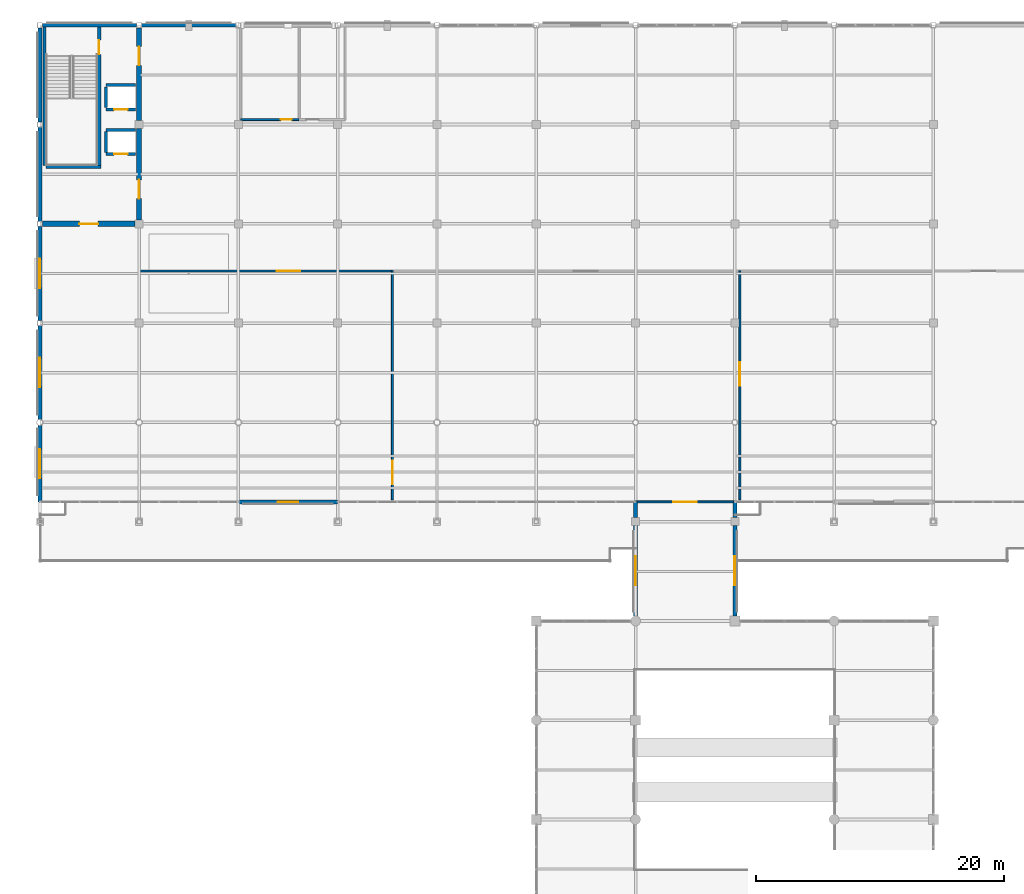
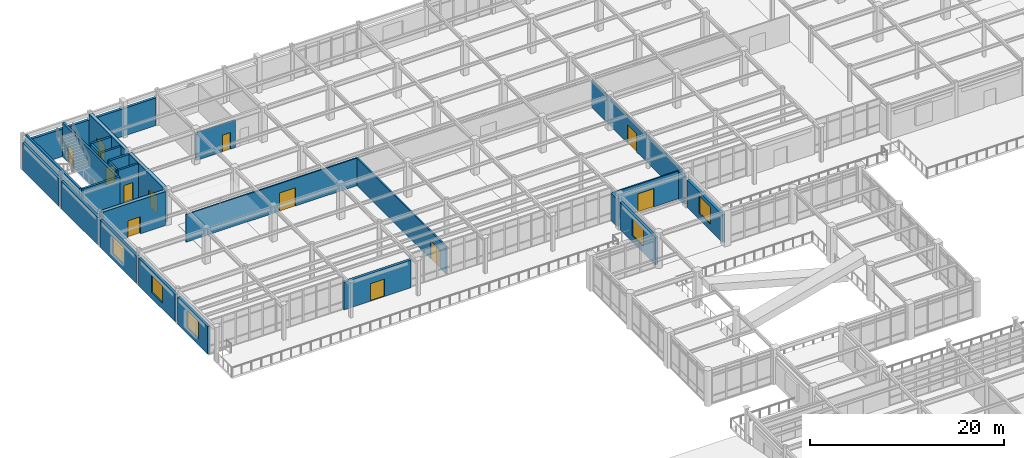
# One storey, part 86 of 111: 29 walls, 12 doors, 5 windows, 17 openings.
"""IFC4 building model written with IfcOpenShell, lengths in metres."""

from ifc_helpers import new_model, si_unit, direction, frame, frame_2d, origin, place, context, subcontext, project, spatial, rectangle, extrude, material, layer, layer_set, type_object, element, fill, save


model = new_model("IFC4")

# Units and contexts
model_context = context("Model", 3, precision=1e-05, world=origin(), true_north=direction((0.0, 1.0)))
body_context = subcontext(model_context, "Body", "Model", "MODEL_VIEW")
ifc_project = project(units=[si_unit("LENGTHUNIT", "METRE"), si_unit("AREAUNIT", "SQUARE_METRE"), si_unit("VOLUMEUNIT", "CUBIC_METRE"), si_unit("PLANEANGLEUNIT", "RADIAN"), si_unit("MASSUNIT", "GRAM", prefix="KILO")], contexts=[model_context])

# Site, building, storey
site_placement = place(None, origin())
site = spatial("IfcSite", under=ifc_project, at=site_placement, CompositionType="ELEMENT")
building_placement = place(site_placement, origin())
building = spatial("IfcBuilding", under=site, at=building_placement, Name="Solmirada Galleria", CompositionType="ELEMENT")
storey_placement = place(building_placement, frame((0.0, 0.0, 10.39990234375)))
storey = spatial("IfcBuildingStorey", under=building, at=storey_placement, Name="L02", CompositionType="ELEMENT", Elevation=10.39990234375)

# Wall, opening, door
ifc_material_1 = material(Name="Concrete C40/50", Category="concrete")
ifc_layer_1 = layer(ifc_material_1, 0.419921875)
ifc_layer_set_1 = layer_set([ifc_layer_1], Name="Concrete C40/50")
wall_type_1 = type_object("IfcWallType", Name="WL-CORE-420", PredefinedType="SHEAR", material=ifc_layer_set_1)
wall_1_placement = place(storey_placement, frame((40.202880859375, 104.0, 0.0), z_axis=(0.0, 0.0, 1.0), x_axis=(1.0, 0.0, 0.0)))
wall_1 = element("IfcWall", 1, at=wall_1_placement, inside=storey, type_object=wall_type_1, Name="Core C1 shear wall L02 S1", PredefinedType="SHEAR", context=body_context, shape_type="SweptSolid", body=[
    extrude(rectangle(XDim=7.47216796875, YDim=0.419921875, at=frame_2d((3.736083984375, 0.0))), origin(), (0.0, 0.0, 1.0), 4.280029296875),
])
opening_1_placement = place(wall_1_placement, frame((2.986083984375, 0.0, 0.0)))
opening_1 = element("IfcOpeningElement", 2, at=opening_1_placement, cuts=wall_1, Name="Opening LDY-114", PredefinedType="OPENING", context=body_context, shape_type="SweptSolid", body=[
    extrude(rectangle(XDim=1.5, YDim=2.14990234375, at=frame_2d((0.75, 1.074951171875))), frame((0.0, 0.219970703125, 0.0), z_axis=(0.0, -1.0, 0.0), x_axis=(1.0, 0.0, 0.0)), (0.0, 0.0, 1.0), 0.43994140625),
])
ifc_material_2 = material(Name="Fire-rated painted steel door assembly", Category="steel")
door_type_1 = type_object("IfcDoorType", Name="DR-LOBBY-150X215", OperationType="DOUBLE_DOOR_SINGLE_SWING", PredefinedType="DOOR", material=ifc_material_2)
door_1_placement = place(opening_1_placement, origin())
door_1 = element("IfcDoor", 3, at=door_1_placement, inside=storey, type_object=door_type_1, Name="Core C1 lobby access fire door LDY-114", OperationType="DOUBLE_DOOR_SINGLE_SWING", OverallHeight=2.14990234375, OverallWidth=1.5, PredefinedType="DOOR", context=body_context, shape_type="SweptSolid", body=[
    extrude(rectangle(XDim=1.5, YDim=2.14990234375, at=frame_2d((0.75, 1.074951171875))), frame((0.0, 0.02490234375, 0.0), z_axis=(0.0, -1.0, 0.0), x_axis=(1.0, 0.0, 0.0)), (0.0, 0.0, 1.0), 0.050048828125),
])
fill(opening_1, door_1)

wall_2_placement = place(storey_placement, frame((48.0, 104.324951171875, 0.0), z_axis=(0.0, 0.0, 1.0), x_axis=(0.0, 1.0, 0.0)))
wall_2 = element("IfcWall", 4, at=wall_2_placement, inside=storey, type_object=wall_type_1, Name="Core C1 shear wall L02 E1", PredefinedType="SHEAR", context=body_context, shape_type="SweptSolid", body=[
    extrude(rectangle(XDim=7.35009765625, YDim=0.419921875, at=frame_2d((3.675048828125, 0.0))), origin(), (0.0, 0.0, 1.0), 4.280029296875),
])
opening_2_placement = place(wall_2_placement, frame((1.7119140625, 0.0, 0.0)))
opening_2 = element("IfcOpeningElement", 5, at=opening_2_placement, cuts=wall_2, Name="Opening LDY-115", PredefinedType="OPENING", context=body_context, shape_type="SweptSolid", body=[
    extrude(rectangle(XDim=1.5, YDim=2.14990234375, at=frame_2d((0.75, 1.074951171875))), frame((0.0, 0.219970703125, 0.0), z_axis=(0.0, -1.0, 0.0), x_axis=(1.0, 0.0, 0.0)), (0.0, 0.0, 1.0), 0.43994140625),
])
door_2_placement = place(opening_2_placement, origin())
door_2 = element("IfcDoor", 6, at=door_2_placement, inside=storey, type_object=door_type_1, Name="Core C1 lobby access fire door LDY-115", OperationType="DOUBLE_DOOR_SINGLE_SWING", OverallHeight=2.14990234375, OverallWidth=1.5, PredefinedType="DOOR", context=body_context, shape_type="SweptSolid", body=[
    extrude(rectangle(XDim=1.5, YDim=2.14990234375, at=frame_2d((0.75, 1.074951171875))), frame((0.0, 0.02490234375, 0.0), z_axis=(0.0, -1.0, 0.0), x_axis=(1.0, 0.0, 0.0)), (0.0, 0.0, 1.0), 0.050048828125),
])
fill(opening_2, door_2)

wall_3_placement = place(storey_placement, frame((48.0, 112.324951171875, 0.0), z_axis=(0.0, 0.0, 1.0), x_axis=(0.0, 1.0, 0.0)))
wall_3 = element("IfcWall", 7, at=wall_3_placement, inside=storey, type_object=wall_type_1, Name="Core C1 shear wall L02 E2", PredefinedType="SHEAR", context=body_context, shape_type="SweptSolid", body=[
    extrude(rectangle(XDim=7.47216796875, YDim=0.419921875, at=frame_2d((3.736083984375, 0.0))), origin(), (0.0, 0.0, 1.0), 4.280029296875),
])
opening_3_placement = place(wall_3_placement, frame((4.447998046875, 0.0, 0.0)))
opening_3 = element("IfcOpeningElement", 8, at=opening_3_placement, cuts=wall_3, Name="Opening LDY-116", PredefinedType="OPENING", context=body_context, shape_type="SweptSolid", body=[
    extrude(rectangle(XDim=1.5, YDim=2.14990234375, at=frame_2d((0.75, 1.074951171875))), frame((0.0, 0.219970703125, 0.0), z_axis=(0.0, -1.0, 0.0), x_axis=(1.0, 0.0, 0.0)), (0.0, 0.0, 1.0), 0.43994140625),
])
door_3_placement = place(opening_3_placement, origin())
door_3 = element("IfcDoor", 9, at=door_3_placement, inside=storey, type_object=door_type_1, Name="Core C1 lobby access fire door LDY-116", OperationType="DOUBLE_DOOR_SINGLE_SWING", OverallHeight=2.14990234375, OverallWidth=1.5, PredefinedType="DOOR", context=body_context, shape_type="SweptSolid", body=[
    extrude(rectangle(XDim=1.5, YDim=2.14990234375, at=frame_2d((0.75, 1.074951171875))), frame((0.0, 0.02490234375, 0.0), z_axis=(0.0, -1.0, 0.0), x_axis=(1.0, 0.0, 0.0)), (0.0, 0.0, 1.0), 0.050048828125),
])
fill(opening_3, door_3)

# Wall, opening, window
ifc_material_3 = material(Name="Precast concrete C40/50", Category="concrete")
ifc_layer_2 = layer(ifc_material_3, 0.31005859375)
ifc_layer_set_2 = layer_set([ifc_layer_2], Name="Precast concrete C40/50")
wall_type_2 = type_object("IfcWallType", Name="WL-EXT-310", PredefinedType="STANDARD", material=ifc_layer_set_2)
wall_4_placement = place(storey_placement, frame((88.0, 72.39990234375, 0.0), z_axis=(0.0, 0.0, 1.0), x_axis=(0.0, 1.0, 0.0)))
wall_4 = element("IfcWall", 10, at=wall_4_placement, inside=storey, type_object=wall_type_2, Name="Exterior wall L02 bay 026", PredefinedType="STANDARD", context=body_context, shape_type="SweptSolid", body=[
    extrude(rectangle(XDim=7.275146484375, YDim=0.31005859375, at=frame_2d((3.6376953125, 0.0))), origin(), (0.0, 0.0, 1.0), 3.47998046875),
])
opening_4_placement = place(wall_4_placement, frame((2.4619140625, 0.0, 0.800048828125)))
opening_4 = element("IfcOpeningElement", 11, at=opening_4_placement, cuts=wall_4, Name="Opening WN2", PredefinedType="OPENING", context=body_context, shape_type="SweptSolid", body=[
    extrude(rectangle(XDim=2.35009765625, YDim=2.14990234375, at=frame_2d((1.175048828125, 1.074951171875))), frame((0.0, 0.1650390625, 0.0), z_axis=(0.0, -1.0, 0.0), x_axis=(1.0, 0.0, 0.0)), (0.0, 0.0, 1.0), 0.330078125),
])
ifc_material_4 = material(Name="Impact-resistant low-E double glazing", Category="glass")
window_type = type_object("IfcWindowType", Name="WIN-AVE-235X215", PartitioningType="DOUBLE_PANEL_VERTICAL", PredefinedType="WINDOW", material=ifc_material_4)
window_1_placement = place(opening_4_placement, origin())
window_1 = element("IfcWindow", 12, at=window_1_placement, inside=storey, type_object=window_type, Name="Window L02-047", OverallHeight=2.14990234375, OverallWidth=2.35009765625, PartitioningType="DOUBLE_PANEL_VERTICAL", PredefinedType="WINDOW", context=body_context, shape_type="SweptSolid", body=[
    extrude(rectangle(XDim=2.35009765625, YDim=2.14990234375, at=frame_2d((1.175048828125, 1.074951171875))), frame((0.0, 0.030029296875, 0.0), z_axis=(0.0, -1.0, 0.0), x_axis=(1.0, 0.0, 0.0)), (0.0, 0.0, 1.0), 0.06005859375),
])
fill(opening_4, window_1)

# Wall
wall_5_placement = place(storey_placement, frame((88.0, 80.324951171875, 0.0), z_axis=(0.0, 0.0, 1.0), x_axis=(0.0, 1.0, 0.0)))
element("IfcWall", 13, at=wall_5_placement, inside=storey, type_object=wall_type_2, Name="Exterior wall L02 bay 027", PredefinedType="STANDARD", context=body_context, shape_type="SweptSolid", body=[
    extrude(rectangle(XDim=1.275146484375, YDim=0.31005859375, at=frame_2d((0.6376953125, 0.0))), origin(), (0.0, 0.0, 1.0), 3.47998046875),
])

# Wall, opening, door
wall_6_placement = place(storey_placement, frame((64.0, 81.60009765625, 0.0), z_axis=(0.0, 0.0, 1.0), x_axis=(-1.0, 0.0, 0.0)))
wall_6 = element("IfcWall", 14, at=wall_6_placement, inside=storey, type_object=wall_type_2, Name="Exterior wall L02 bay 031", PredefinedType="STANDARD", context=body_context, shape_type="SweptSolid", body=[
    extrude(rectangle(XDim=8.0, YDim=0.31005859375, at=frame_2d((4.0, 0.0))), origin(), (0.0, 0.0, 1.0), 3.47998046875),
])
opening_5_placement = place(wall_6_placement, frame((3.175048828125, 0.0, 0.0)))
opening_5 = element("IfcOpeningElement", 15, at=opening_5_placement, cuts=wall_6, Name="Opening TD-061", PredefinedType="OPENING", context=body_context, shape_type="SweptSolid", body=[
    extrude(rectangle(XDim=1.64990234375, YDim=2.199951171875, at=frame_2d((0.824951171875, 1.10009765625))), frame((0.0, 0.1650390625, 0.0), z_axis=(0.0, -1.0, 0.0), x_axis=(1.0, 0.0, 0.0)), (0.0, 0.0, 1.0), 0.330078125),
])
ifc_material_5 = material(Name="Thermally broken aluminium and laminated glass door", Category="aluminium")
door_type_2 = type_object("IfcDoorType", Name="DR-TERR-165X220", OperationType="DOUBLE_DOOR_SINGLE_SWING", PredefinedType="DOOR", material=ifc_material_5)
door_4_placement = place(opening_5_placement, origin())
door_4 = element("IfcDoor", 16, at=door_4_placement, inside=storey, type_object=door_type_2, Name="Planted terrace access door TD-061", OperationType="DOUBLE_DOOR_SINGLE_SWING", OverallHeight=2.199951171875, OverallWidth=1.64990234375, PredefinedType="DOOR", context=body_context, shape_type="SweptSolid", body=[
    extrude(rectangle(XDim=1.64990234375, YDim=2.199951171875, at=frame_2d((0.824951171875, 1.10009765625))), frame((0.0, 0.02490234375, 0.0), z_axis=(0.0, -1.0, 0.0), x_axis=(1.0, 0.0, 0.0)), (0.0, 0.0, 1.0), 0.050048828125),
])
fill(opening_5, door_4)

# Wall, opening, window
wall_7_placement = place(storey_placement, frame((40.0, 81.60009765625, 0.0), z_axis=(0.0, 0.0, 1.0), x_axis=(0.0, 1.0, 0.0)))
wall_7 = element("IfcWall", 17, at=wall_7_placement, inside=storey, type_object=wall_type_2, Name="Exterior wall L02 bay 034", PredefinedType="STANDARD", context=body_context, shape_type="SweptSolid", body=[
    extrude(rectangle(XDim=6.14599609375, YDim=0.31005859375, at=frame_2d((3.072998046875, 0.0))), origin(), (0.0, 0.0, 1.0), 3.47998046875),
])
opening_6_placement = place(wall_7_placement, frame((1.89794921875, 0.0, 0.800048828125)))
opening_6 = element("IfcOpeningElement", 18, at=opening_6_placement, cuts=wall_7, Name="Opening WN2", PredefinedType="OPENING", context=body_context, shape_type="SweptSolid", body=[
    extrude(rectangle(XDim=2.35009765625, YDim=2.14990234375, at=frame_2d((1.175048828125, 1.074951171875))), frame((0.0, 0.1650390625, 0.0), z_axis=(0.0, -1.0, 0.0), x_axis=(1.0, 0.0, 0.0)), (0.0, 0.0, 1.0), 0.330078125),
])
window_2_placement = place(opening_6_placement, origin())
window_2 = element("IfcWindow", 19, at=window_2_placement, inside=storey, type_object=window_type, Name="Window L02-048", OverallHeight=2.14990234375, OverallWidth=2.35009765625, PartitioningType="DOUBLE_PANEL_VERTICAL", PredefinedType="WINDOW", context=body_context, shape_type="SweptSolid", body=[
    extrude(rectangle(XDim=2.35009765625, YDim=2.14990234375, at=frame_2d((1.175048828125, 1.074951171875))), frame((0.0, 0.030029296875, 0.0), z_axis=(0.0, -1.0, 0.0), x_axis=(1.0, 0.0, 0.0)), (0.0, 0.0, 1.0), 0.06005859375),
])
fill(opening_6, window_2)

wall_8_placement = place(storey_placement, frame((40.0, 88.25390625, 0.0), z_axis=(0.0, 0.0, 1.0), x_axis=(0.0, 1.0, 0.0)))
wall_8 = element("IfcWall", 20, at=wall_8_placement, inside=storey, type_object=wall_type_2, Name="Exterior wall L02 bay 035", PredefinedType="STANDARD", context=body_context, shape_type="SweptSolid", body=[
    extrude(rectangle(XDim=7.543212890625, YDim=0.31005859375, at=frame_2d((3.771484375, 0.0))), origin(), (0.0, 0.0, 1.0), 3.47998046875),
])
opening_7_placement = place(wall_8_placement, frame((2.595947265625, 0.0, 0.800048828125)))
opening_7 = element("IfcOpeningElement", 21, at=opening_7_placement, cuts=wall_8, Name="Opening WN2", PredefinedType="OPENING", context=body_context, shape_type="SweptSolid", body=[
    extrude(rectangle(XDim=2.35009765625, YDim=2.14990234375, at=frame_2d((1.175048828125, 1.074951171875))), frame((0.0, 0.1650390625, 0.0), z_axis=(0.0, -1.0, 0.0), x_axis=(1.0, 0.0, 0.0)), (0.0, 0.0, 1.0), 0.330078125),
])
window_3_placement = place(opening_7_placement, origin())
window_3 = element("IfcWindow", 22, at=window_3_placement, inside=storey, type_object=window_type, Name="Window L02-049", OverallHeight=2.14990234375, OverallWidth=2.35009765625, PartitioningType="DOUBLE_PANEL_VERTICAL", PredefinedType="WINDOW", context=body_context, shape_type="SweptSolid", body=[
    extrude(rectangle(XDim=2.35009765625, YDim=2.14990234375, at=frame_2d((1.175048828125, 1.074951171875))), frame((0.0, 0.030029296875, 0.0), z_axis=(0.0, -1.0, 0.0), x_axis=(1.0, 0.0, 0.0)), (0.0, 0.0, 1.0), 0.06005859375),
])
fill(opening_7, window_3)

wall_9_placement = place(storey_placement, frame((40.0, 96.202880859375, 0.0), z_axis=(0.0, 0.0, 1.0), x_axis=(0.0, 1.0, 0.0)))
wall_9 = element("IfcWall", 23, at=wall_9_placement, inside=storey, type_object=wall_type_2, Name="Exterior wall L02 bay 036", PredefinedType="STANDARD", context=body_context, shape_type="SweptSolid", body=[
    extrude(rectangle(XDim=7.59423828125, YDim=0.31005859375, at=frame_2d((3.797119140625, 0.0))), origin(), (0.0, 0.0, 1.0), 3.47998046875),
])
opening_8_placement = place(wall_9_placement, frame((2.6220703125, 0.0, 0.800048828125)))
opening_8 = element("IfcOpeningElement", 24, at=opening_8_placement, cuts=wall_9, Name="Opening WN2", PredefinedType="OPENING", context=body_context, shape_type="SweptSolid", body=[
    extrude(rectangle(XDim=2.35009765625, YDim=2.14990234375, at=frame_2d((1.175048828125, 1.074951171875))), frame((0.0, 0.1650390625, 0.0), z_axis=(0.0, -1.0, 0.0), x_axis=(1.0, 0.0, 0.0)), (0.0, 0.0, 1.0), 0.330078125),
])
window_4_placement = place(opening_8_placement, origin())
window_4 = element("IfcWindow", 25, at=window_4_placement, inside=storey, type_object=window_type, Name="Window L02-050", OverallHeight=2.14990234375, OverallWidth=2.35009765625, PartitioningType="DOUBLE_PANEL_VERTICAL", PredefinedType="WINDOW", context=body_context, shape_type="SweptSolid", body=[
    extrude(rectangle(XDim=2.35009765625, YDim=2.14990234375, at=frame_2d((1.175048828125, 1.074951171875))), frame((0.0, 0.030029296875, 0.0), z_axis=(0.0, -1.0, 0.0), x_axis=(1.0, 0.0, 0.0)), (0.0, 0.0, 1.0), 0.06005859375),
])
fill(opening_8, window_4)

# Walls
for number, where, z_axis, x_axis, name in (
    (26, (40.0, 104.202880859375, 0.0), (0.0, 0.0, 1.0), (0.0, 1.0, 0.0), "Exterior wall L02 bay 037"),
    (27, (40.0, 112.202880859375, 0.0), (0.0, 0.0, 1.0), (0.0, 1.0, 0.0), "Exterior wall L02 bay 038"),
    (28, (40.202880859375, 120.0, 0.0), (0.0, 0.0, 1.0), (1.0, 0.0, 0.0), "Exterior wall L02 bay 039"),
    (29, (48.202880859375, 120.0, 0.0), (0.0, 0.0, 1.0), (1.0, 0.0, 0.0), "Exterior wall L02 bay 040"),
):
    element("IfcWall", number, at=place(storey_placement, frame(where, z_axis=z_axis, x_axis=x_axis)), inside=storey, type_object=wall_type_2, Name=name, PredefinedType="STANDARD", context=body_context, shape_type="SweptSolid", body=[
        extrude(rectangle(XDim=7.59423828125, YDim=0.31005859375, at=frame_2d((3.797119140625, 0.0))), origin(), (0.0, 0.0, 1.0), 3.47998046875),
    ])
wall_10_placement = place(storey_placement, frame((96.0, 81.60009765625, 0.0), z_axis=(0.0, 0.0, 1.0), x_axis=(0.0, -1.0, 0.0)))
element("IfcWall", 30, at=wall_10_placement, inside=storey, type_object=wall_type_2, Name="Exterior wall L02 bay 072", PredefinedType="STANDARD", context=body_context, shape_type="SweptSolid", body=[
    extrude(rectangle(XDim=1.275146484375, YDim=0.31005859375, at=frame_2d((0.6376953125, 0.0))), origin(), (0.0, 0.0, 1.0), 3.47998046875),
])

# Wall, opening, window
wall_11_placement = place(storey_placement, frame((96.0, 79.675048828125, 0.0), z_axis=(0.0, 0.0, 1.0), x_axis=(0.0, -1.0, 0.0)))
wall_11 = element("IfcWall", 31, at=wall_11_placement, inside=storey, type_object=wall_type_2, Name="Exterior wall L02 bay 073", PredefinedType="STANDARD", context=body_context, shape_type="SweptSolid", body=[
    extrude(rectangle(XDim=7.275146484375, YDim=0.31005859375, at=frame_2d((3.6376953125, 0.0))), origin(), (0.0, 0.0, 1.0), 3.47998046875),
])
opening_9_placement = place(wall_11_placement, frame((2.4619140625, 0.0, 0.800048828125)))
opening_9 = element("IfcOpeningElement", 32, at=opening_9_placement, cuts=wall_11, Name="Opening WN2", PredefinedType="OPENING", context=body_context, shape_type="SweptSolid", body=[
    extrude(rectangle(XDim=2.35009765625, YDim=2.14990234375, at=frame_2d((1.175048828125, 1.074951171875))), frame((0.0, 0.1650390625, 0.0), z_axis=(0.0, -1.0, 0.0), x_axis=(1.0, 0.0, 0.0)), (0.0, 0.0, 1.0), 0.330078125),
])
window_5_placement = place(opening_9_placement, origin())
window_5 = element("IfcWindow", 33, at=window_5_placement, inside=storey, type_object=window_type, Name="Window L02-059", OverallHeight=2.14990234375, OverallWidth=2.35009765625, PartitioningType="DOUBLE_PANEL_VERTICAL", PredefinedType="WINDOW", context=body_context, shape_type="SweptSolid", body=[
    extrude(rectangle(XDim=2.35009765625, YDim=2.14990234375, at=frame_2d((1.175048828125, 1.074951171875))), frame((0.0, 0.030029296875, 0.0), z_axis=(0.0, -1.0, 0.0), x_axis=(1.0, 0.0, 0.0)), (0.0, 0.0, 1.0), 0.06005859375),
])
fill(opening_9, window_5)

# Wall, opening, door
ifc_layer_3 = layer(ifc_material_1, 0.239990234375)
ifc_layer_set_3 = layer_set([ifc_layer_3], Name="Concrete C40/50")
wall_type_3 = type_object("IfcWallType", Name="WL-HOIST-240", PredefinedType="PARTITIONING", material=ifc_layer_set_3)
wall_12_placement = place(storey_placement, frame((45.344970703125, 113.219970703125, 0.0), z_axis=(0.0, 0.0, 1.0), x_axis=(1.0, 0.0, 0.0)))
wall_12 = element("IfcWall", 34, at=wall_12_placement, inside=storey, type_object=wall_type_3, Name="Lift LP1 hoistway front wall L02", PredefinedType="PARTITIONING", context=body_context, shape_type="SweptSolid", body=[
    extrude(rectangle(XDim=2.375, YDim=0.239990234375, at=frame_2d((1.1875, 0.0))), origin(), (0.0, 0.0, 1.0), 4.280029296875),
])
opening_10_placement = place(wall_12_placement, frame((0.636962890625, 0.0, 0.0)))
opening_10 = element("IfcOpeningElement", 35, at=opening_10_placement, cuts=wall_12, Name="Opening LD-LP1-L02", PredefinedType="OPENING", context=body_context, shape_type="SweptSolid", body=[
    extrude(rectangle(XDim=1.10009765625, YDim=2.14990234375, at=frame_2d((0.550048828125, 1.074951171875))), frame((0.0, 0.1298828125, 0.0), z_axis=(0.0, -1.0, 0.0), x_axis=(1.0, 0.0, 0.0)), (0.0, 0.0, 1.0), 0.260009765625),
])
ifc_material_6 = material(Name="Brushed stainless-steel sliding landing door", Category="steel")
door_type_3 = type_object("IfcDoorType", Name="DR-LIFT-110X215", OperationType="SLIDING_TO_LEFT", PredefinedType="DOOR", material=ifc_material_6)
door_5_placement = place(opening_10_placement, origin())
door_5 = element("IfcDoor", 36, at=door_5_placement, inside=storey, type_object=door_type_3, Name="Lift LP1 sliding landing door L02", OperationType="SLIDING_TO_LEFT", OverallHeight=2.14990234375, OverallWidth=1.10009765625, PredefinedType="DOOR", context=body_context, shape_type="SweptSolid", body=[
    extrude(rectangle(XDim=1.10009765625, YDim=2.14990234375, at=frame_2d((0.550048828125, 1.074951171875))), frame((0.0, 0.02490234375, 0.0), z_axis=(0.0, -1.0, 0.0), x_axis=(1.0, 0.0, 0.0)), (0.0, 0.0, 1.0), 0.050048828125),
])
fill(opening_10, door_5)

# Walls
wall_13_placement = place(storey_placement, frame((45.344970703125, 115.179931640625, 0.0), z_axis=(0.0, 0.0, 1.0), x_axis=(1.0, 0.0, 0.0)))
element("IfcWall", 37, at=wall_13_placement, inside=storey, type_object=wall_type_3, Name="Lift LP1 hoistway rear wall L02", PredefinedType="PARTITIONING", context=body_context, shape_type="SweptSolid", body=[
    extrude(rectangle(XDim=2.375, YDim=0.239990234375, at=frame_2d((1.1875, 0.0))), origin(), (0.0, 0.0, 1.0), 4.280029296875),
])
wall_14_placement = place(storey_placement, frame((45.344970703125, 113.360107421875, 0.0), z_axis=(0.0, 0.0, 1.0), x_axis=(0.0, 1.0, 0.0)))
element("IfcWall", 38, at=wall_14_placement, inside=storey, type_object=wall_type_3, Name="Lift LP1 hoistway side wall L L02", PredefinedType="PARTITIONING", context=body_context, shape_type="SweptSolid", body=[
    extrude(rectangle(XDim=1.679931640625, YDim=0.239990234375, at=frame_2d((0.83984375, 0.0))), origin(), (0.0, 0.0, 1.0), 4.280029296875),
])

# Wall, opening, door
wall_15_placement = place(storey_placement, frame((45.344970703125, 109.6201171875, 0.0), z_axis=(0.0, 0.0, 1.0), x_axis=(1.0, 0.0, 0.0)))
wall_15 = element("IfcWall", 39, at=wall_15_placement, inside=storey, type_object=wall_type_3, Name="Lift LP2 hoistway front wall L02", PredefinedType="PARTITIONING", context=body_context, shape_type="SweptSolid", body=[
    extrude(rectangle(XDim=2.375, YDim=0.239990234375, at=frame_2d((1.1875, 0.0))), origin(), (0.0, 0.0, 1.0), 4.280029296875),
])
opening_11_placement = place(wall_15_placement, frame((0.636962890625, 0.0, 0.0)))
opening_11 = element("IfcOpeningElement", 40, at=opening_11_placement, cuts=wall_15, Name="Opening LD-LP2-L02", PredefinedType="OPENING", context=body_context, shape_type="SweptSolid", body=[
    extrude(rectangle(XDim=1.10009765625, YDim=2.14990234375, at=frame_2d((0.550048828125, 1.074951171875))), frame((0.0, 0.1298828125, 0.0), z_axis=(0.0, -1.0, 0.0), x_axis=(1.0, 0.0, 0.0)), (0.0, 0.0, 1.0), 0.260009765625),
])
door_6_placement = place(opening_11_placement, origin())
door_6 = element("IfcDoor", 41, at=door_6_placement, inside=storey, type_object=door_type_3, Name="Lift LP2 sliding landing door L02", OperationType="SLIDING_TO_LEFT", OverallHeight=2.14990234375, OverallWidth=1.10009765625, PredefinedType="DOOR", context=body_context, shape_type="SweptSolid", body=[
    extrude(rectangle(XDim=1.10009765625, YDim=2.14990234375, at=frame_2d((0.550048828125, 1.074951171875))), frame((0.0, 0.02490234375, 0.0), z_axis=(0.0, -1.0, 0.0), x_axis=(1.0, 0.0, 0.0)), (0.0, 0.0, 1.0), 0.050048828125),
])
fill(opening_11, door_6)

# Walls
wall_16_placement = place(storey_placement, frame((45.344970703125, 111.580078125, 0.0), z_axis=(0.0, 0.0, 1.0), x_axis=(1.0, 0.0, 0.0)))
element("IfcWall", 42, at=wall_16_placement, inside=storey, type_object=wall_type_3, Name="Lift LP2 hoistway rear wall L02", PredefinedType="PARTITIONING", context=body_context, shape_type="SweptSolid", body=[
    extrude(rectangle(XDim=2.375, YDim=0.239990234375, at=frame_2d((1.1875, 0.0))), origin(), (0.0, 0.0, 1.0), 4.280029296875),
])
wall_17_placement = place(storey_placement, frame((45.344970703125, 109.760009765625, 0.0), z_axis=(0.0, 0.0, 1.0), x_axis=(0.0, 1.0, 0.0)))
element("IfcWall", 43, at=wall_17_placement, inside=storey, type_object=wall_type_3, Name="Lift LP2 hoistway side wall L L02", PredefinedType="PARTITIONING", context=body_context, shape_type="SweptSolid", body=[
    extrude(rectangle(XDim=1.679931640625, YDim=0.239990234375, at=frame_2d((0.83984375, 0.0))), origin(), (0.0, 0.0, 1.0), 4.280029296875),
])

# Wall, opening, door
ifc_material_7 = material(Name="Acoustic gypsum board partition")
ifc_layer_4 = layer(ifc_material_7, 0.159912109375)
ifc_layer_set_4 = layer_set([ifc_layer_4], Name="Acoustic gypsum board partition")
wall_type_4 = type_object("IfcWallType", Name="WL-PART-160", PredefinedType="PARTITIONING", material=ifc_layer_set_4)
wall_18_placement = place(storey_placement, frame((56.199951171875, 112.39990234375, 0.0), z_axis=(0.0, 0.0, 1.0), x_axis=(1.0, 0.0, 0.0)))
wall_18 = element("IfcWall", 44, at=wall_18_placement, inside=storey, type_object=wall_type_4, Name="Partition L02-066 (North Restroom)", PredefinedType="PARTITIONING", context=body_context, shape_type="SweptSolid", body=[
    extrude(rectangle(XDim=4.699951171875, YDim=0.159912109375, at=frame_2d((2.35009765625, 0.0))), origin(), (0.0, 0.0, 1.0), 3.47998046875),
])
opening_12_placement = place(wall_18_placement, frame((3.193115234375, 0.0, 0.0)))
opening_12 = element("IfcOpeningElement", 45, at=opening_12_placement, cuts=wall_18, Name="Opening ID-305", PredefinedType="OPENING", context=body_context, shape_type="SweptSolid", body=[
    extrude(rectangle(XDim=0.919921875, YDim=2.10009765625, at=frame_2d((0.4599609375, 1.050048828125))), frame((0.0, 0.08984375, 0.0), z_axis=(0.0, -1.0, 0.0), x_axis=(1.0, 0.0, 0.0)), (0.0, 0.0, 1.0), 0.179931640625),
])
ifc_material_8 = material(Name="Architectural hardwood veneer door", Category="wood")
door_type_4 = type_object("IfcDoorType", Name="DR-WC-092X210", OperationType="NOTDEFINED", PredefinedType="DOOR", material=ifc_material_8)
door_7_placement = place(opening_12_placement, origin())
door_7 = element("IfcDoor", 46, at=door_7_placement, inside=storey, type_object=door_type_4, Name="North Restroom door ID-305", OperationType="SINGLE_SWING_RIGHT", OverallHeight=2.10009765625, OverallWidth=0.919921875, PredefinedType="DOOR", context=body_context, shape_type="SweptSolid", body=[
    extrude(rectangle(XDim=0.919921875, YDim=2.10009765625, at=frame_2d((0.4599609375, 1.050048828125))), frame((0.0, 0.02490234375, 0.0), z_axis=(0.0, -1.0, 0.0), x_axis=(1.0, 0.0, 0.0)), (0.0, 0.0, 1.0), 0.050048828125),
])
fill(opening_12, door_7)

wall_19_placement = place(storey_placement, frame((48.0, 100.199951171875, 0.0), z_axis=(0.0, 0.0, 1.0), x_axis=(1.0, 0.0, 0.0)))
wall_19 = element("IfcWall", 47, at=wall_19_placement, inside=storey, type_object=wall_type_4, Name="Partition L02-071 (North Promenade W L02)", PredefinedType="PARTITIONING", context=body_context, shape_type="SweptSolid", body=[
    extrude(rectangle(XDim=20.39990234375, YDim=0.159912109375, at=frame_2d((10.199951171875, 0.0))), origin(), (0.0, 0.0, 1.0), 3.47998046875),
])
opening_13_placement = place(wall_19_placement, frame((11.091064453125, 0.0, 0.0)))
opening_13 = element("IfcOpeningElement", 48, at=opening_13_placement, cuts=wall_19, Name="Opening ID-307", PredefinedType="OPENING", context=body_context, shape_type="SweptSolid", body=[
    extrude(rectangle(XDim=1.89990234375, YDim=2.300048828125, at=frame_2d((0.949951171875, 1.14990234375))), frame((0.0, 0.08984375, 0.0), z_axis=(0.0, -1.0, 0.0), x_axis=(1.0, 0.0, 0.0)), (0.0, 0.0, 1.0), 0.179931640625),
])
door_type_5 = type_object("IfcDoorType", Name="DR-DEPT-190X230", OperationType="DOUBLE_DOOR_SINGLE_SWING", PredefinedType="DOOR", material=ifc_material_8)
door_8_placement = place(opening_13_placement, origin())
door_8 = element("IfcDoor", 49, at=door_8_placement, inside=storey, type_object=door_type_5, Name="North Promenade W L02 door ID-307", OperationType="DOUBLE_DOOR_SINGLE_SWING", OverallHeight=2.300048828125, OverallWidth=1.89990234375, PredefinedType="DOOR", context=body_context, shape_type="SweptSolid", body=[
    extrude(rectangle(XDim=1.89990234375, YDim=2.300048828125, at=frame_2d((0.949951171875, 1.14990234375))), frame((0.0, 0.02490234375, 0.0), z_axis=(0.0, -1.0, 0.0), x_axis=(1.0, 0.0, 0.0)), (0.0, 0.0, 1.0), 0.050048828125),
])
fill(opening_13, door_8)

wall_20_placement = place(storey_placement, frame((68.39990234375, 81.75, 0.0), z_axis=(0.0, 0.0, 1.0), x_axis=(0.0, 1.0, 0.0)))
wall_20 = element("IfcWall", 50, at=wall_20_placement, inside=storey, type_object=wall_type_4, Name="Partition L02-074 (North Department W L02)", PredefinedType="PARTITIONING", context=body_context, shape_type="SweptSolid", body=[
    extrude(rectangle(XDim=18.449951171875, YDim=0.159912109375, at=frame_2d((9.22509765625, 0.0))), origin(), (0.0, 0.0, 1.0), 3.47998046875),
])
opening_14_placement = place(wall_20_placement, frame((1.263916015625, 0.0, 0.0)))
opening_14 = element("IfcOpeningElement", 51, at=opening_14_placement, cuts=wall_20, Name="Opening ID-310", PredefinedType="OPENING", context=body_context, shape_type="SweptSolid", body=[
    extrude(rectangle(XDim=1.89990234375, YDim=2.300048828125, at=frame_2d((0.949951171875, 1.14990234375))), frame((0.0, 0.08984375, 0.0), z_axis=(0.0, -1.0, 0.0), x_axis=(1.0, 0.0, 0.0)), (0.0, 0.0, 1.0), 0.179931640625),
])
door_9_placement = place(opening_14_placement, origin())
door_9 = element("IfcDoor", 52, at=door_9_placement, inside=storey, type_object=door_type_5, Name="North Department W L02 door ID-310", OperationType="DOUBLE_DOOR_SINGLE_SWING", OverallHeight=2.300048828125, OverallWidth=1.89990234375, PredefinedType="DOOR", context=body_context, shape_type="SweptSolid", body=[
    extrude(rectangle(XDim=1.89990234375, YDim=2.300048828125, at=frame_2d((0.949951171875, 1.14990234375))), frame((0.0, 0.02490234375, 0.0), z_axis=(0.0, -1.0, 0.0), x_axis=(1.0, 0.0, 0.0)), (0.0, 0.0, 1.0), 0.050048828125),
])
fill(opening_14, door_9)

wall_21_placement = place(storey_placement, frame((96.39990234375, 81.75, 0.0), z_axis=(0.0, 0.0, 1.0), x_axis=(0.0, 1.0, 0.0)))
wall_21 = element("IfcWall", 53, at=wall_21_placement, inside=storey, type_object=wall_type_4, Name="Partition L02-075 (North Department E L02)", PredefinedType="PARTITIONING", context=body_context, shape_type="SweptSolid", body=[
    extrude(rectangle(XDim=18.449951171875, YDim=0.159912109375, at=frame_2d((9.22509765625, 0.0))), origin(), (0.0, 0.0, 1.0), 3.47998046875),
])
opening_15_placement = place(wall_21_placement, frame((9.18896484375, 0.0, 0.0)))
opening_15 = element("IfcOpeningElement", 54, at=opening_15_placement, cuts=wall_21, Name="Opening ID-311", PredefinedType="OPENING", context=body_context, shape_type="SweptSolid", body=[
    extrude(rectangle(XDim=1.89990234375, YDim=2.300048828125, at=frame_2d((0.949951171875, 1.14990234375))), frame((0.0, 0.08984375, 0.0), z_axis=(0.0, -1.0, 0.0), x_axis=(1.0, 0.0, 0.0)), (0.0, 0.0, 1.0), 0.179931640625),
])
door_10_placement = place(opening_15_placement, origin())
door_10 = element("IfcDoor", 55, at=door_10_placement, inside=storey, type_object=door_type_5, Name="North Department E L02 door ID-311", OperationType="DOUBLE_DOOR_SINGLE_SWING", OverallHeight=2.300048828125, OverallWidth=1.89990234375, PredefinedType="DOOR", context=body_context, shape_type="SweptSolid", body=[
    extrude(rectangle(XDim=1.89990234375, YDim=2.300048828125, at=frame_2d((0.949951171875, 1.14990234375))), frame((0.0, 0.02490234375, 0.0), z_axis=(0.0, -1.0, 0.0), x_axis=(1.0, 0.0, 0.0)), (0.0, 0.0, 1.0), 0.050048828125),
])
fill(opening_15, door_10)

wall_22_placement = place(storey_placement, frame((88.0, 81.60009765625, 0.0), z_axis=(0.0, 0.0, 1.0), x_axis=(1.0, 0.0, 0.0)))
wall_22 = element("IfcWall", 56, at=wall_22_placement, inside=storey, type_object=wall_type_4, Name="Partition L02-076 (North Atrium Link L02)", PredefinedType="PARTITIONING", context=body_context, shape_type="SweptSolid", body=[
    extrude(rectangle(XDim=8.0, YDim=0.159912109375, at=frame_2d((4.0, 0.0))), origin(), (0.0, 0.0, 1.0), 3.47998046875),
])
opening_16_placement = place(wall_22_placement, frame((3.050048828125, 0.0, 0.0)))
opening_16 = element("IfcOpeningElement", 57, at=opening_16_placement, cuts=wall_22, Name="Opening ID-312", PredefinedType="OPENING", context=body_context, shape_type="SweptSolid", body=[
    extrude(rectangle(XDim=1.89990234375, YDim=2.300048828125, at=frame_2d((0.949951171875, 1.14990234375))), frame((0.0, 0.08984375, 0.0), z_axis=(0.0, -1.0, 0.0), x_axis=(1.0, 0.0, 0.0)), (0.0, 0.0, 1.0), 0.179931640625),
])
door_11_placement = place(opening_16_placement, origin())
door_11 = element("IfcDoor", 58, at=door_11_placement, inside=storey, type_object=door_type_5, Name="North Atrium Link L02 door ID-312", OperationType="DOUBLE_DOOR_SINGLE_SWING", OverallHeight=2.300048828125, OverallWidth=1.89990234375, PredefinedType="DOOR", context=body_context, shape_type="SweptSolid", body=[
    extrude(rectangle(XDim=1.89990234375, YDim=2.300048828125, at=frame_2d((0.949951171875, 1.14990234375))), frame((0.0, 0.02490234375, 0.0), z_axis=(0.0, -1.0, 0.0), x_axis=(1.0, 0.0, 0.0)), (0.0, 0.0, 1.0), 0.050048828125),
])
fill(opening_16, door_11)

# Walls
ifc_layer_5 = layer(ifc_material_1, 0.260009765625)
ifc_layer_set_5 = layer_set([ifc_layer_5], Name="Concrete C40/50")
wall_type_5 = type_object("IfcWallType", Name="WL-SHAFT-260", PredefinedType="SHEAR", material=ifc_layer_set_5)
wall_23_placement = place(storey_placement, frame((40.5, 108.570068359375, 0.0), z_axis=(0.0, 0.0, 1.0), x_axis=(1.0, 0.0, 0.0)))
element("IfcWall", 59, at=wall_23_placement, inside=storey, type_object=wall_type_5, Name="Stair ST1 enclosure wall L02 S", PredefinedType="SHEAR", context=body_context, shape_type="SweptSolid", body=[
    extrude(rectangle(XDim=4.409912109375, YDim=0.260009765625, at=frame_2d((2.205078125, 0.0))), origin(), (0.0, 0.0, 1.0), 4.280029296875),
])
wall_24_placement = place(storey_placement, frame((40.3701171875, 108.699951171875, 0.0), z_axis=(0.0, 0.0, 1.0), x_axis=(0.0, 1.0, 0.0)))
element("IfcWall", 60, at=wall_24_placement, inside=storey, type_object=wall_type_5, Name="Stair ST1 enclosure wall L02 W", PredefinedType="SHEAR", context=body_context, shape_type="SweptSolid", body=[
    extrude(rectangle(XDim=11.155029296875, YDim=0.260009765625, at=frame_2d((5.57763671875, 0.0))), origin(), (0.0, 0.0, 1.0), 4.280029296875),
])

# Wall, opening, door
wall_25_placement = place(storey_placement, frame((44.780029296875, 108.699951171875, 0.0), z_axis=(0.0, 0.0, 1.0), x_axis=(0.0, 1.0, 0.0)))
wall_25 = element("IfcWall", 61, at=wall_25_placement, inside=storey, type_object=wall_type_5, Name="Stair ST1 enclosure wall L02 E", PredefinedType="SHEAR", context=body_context, shape_type="SweptSolid", body=[
    extrude(rectangle(XDim=11.155029296875, YDim=0.260009765625, at=frame_2d((5.57763671875, 0.0))), origin(), (0.0, 0.0, 1.0), 4.280029296875),
])
opening_17_placement = place(wall_25_placement, frame((8.949951171875, 0.0, 0.0)))
opening_17 = element("IfcOpeningElement", 62, at=opening_17_placement, cuts=wall_25, Name="Opening SD-113", PredefinedType="OPENING", context=body_context, shape_type="SweptSolid", body=[
    extrude(rectangle(XDim=1.14990234375, YDim=2.14990234375, at=frame_2d((0.574951171875, 1.074951171875))), frame((0.0, 0.139892578125, 0.0), z_axis=(0.0, -1.0, 0.0), x_axis=(1.0, 0.0, 0.0)), (0.0, 0.0, 1.0), 0.280029296875),
])
door_type_6 = type_object("IfcDoorType", Name="DR-STAIR-115X215", OperationType="NOTDEFINED", PredefinedType="DOOR", material=ifc_material_2)
door_12_placement = place(opening_17_placement, origin())
door_12 = element("IfcDoor", 63, at=door_12_placement, inside=storey, type_object=door_type_6, Name="Exit stair ST1 enclosure fire door SD-113", OperationType="SINGLE_SWING_LEFT", OverallHeight=2.14990234375, OverallWidth=1.14990234375, PredefinedType="DOOR", context=body_context, shape_type="SweptSolid", body=[
    extrude(rectangle(XDim=1.14990234375, YDim=2.14990234375, at=frame_2d((0.574951171875, 1.074951171875))), frame((0.0, 0.02490234375, 0.0), z_axis=(0.0, -1.0, 0.0), x_axis=(1.0, 0.0, 0.0)), (0.0, 0.0, 1.0), 0.050048828125),
])
fill(opening_17, door_12)

save(model, "model.ifc")
